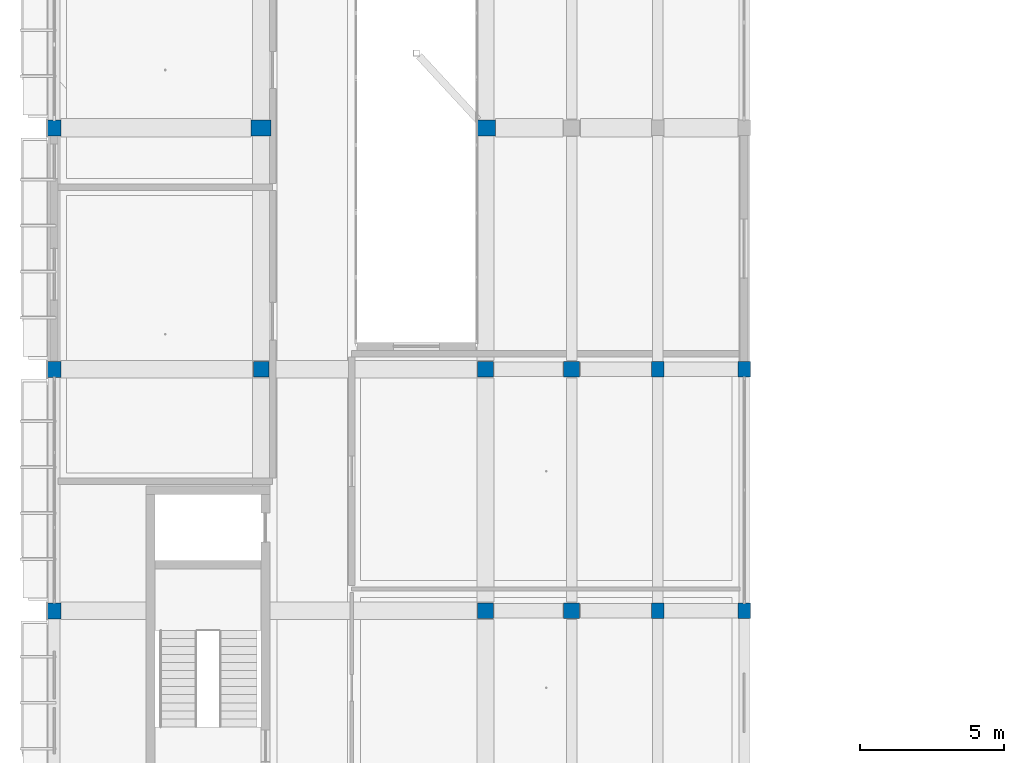
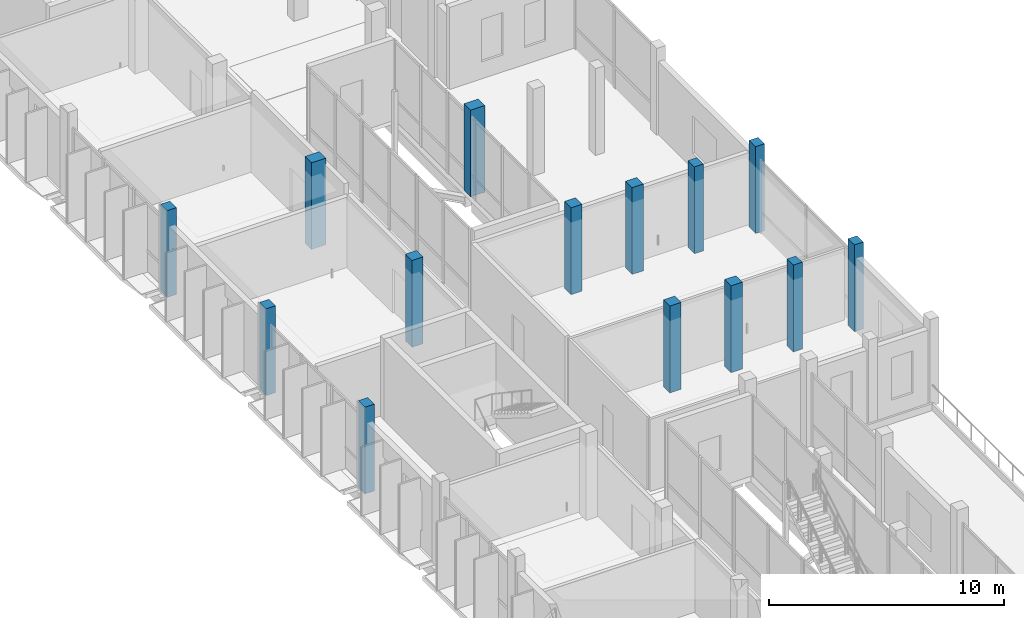
# One storey, part 3 of 95: 14 columns.
"""IFC4 building model written with IfcOpenShell, lengths in metres."""

from ifc_helpers import new_model, si_unit, derived_unit, direction, frame, origin, origin_2d, place, context, subcontext, project, spatial, rectangle, extrude, material, material_profile, profile_set, type_object, element, save


model = new_model("IFC4")

# Units and contexts
model_context = context("Model", 3, precision=1e-05, world=origin(), true_north=direction((0.0, 1.0)))
body_context = subcontext(model_context, "Body", "Model", "MODEL_VIEW")
ifc_project = project(units=[si_unit("LENGTHUNIT", "METRE"), si_unit("AREAUNIT", "SQUARE_METRE"), si_unit("VOLUMEUNIT", "CUBIC_METRE"), si_unit("PLANEANGLEUNIT", "RADIAN"), si_unit("MASSUNIT", "GRAM", prefix="KILO"), derived_unit("THERMALTRANSMITTANCEUNIT", [(si_unit("POWERUNIT", "WATT"), 1), (si_unit("LENGTHUNIT", "METRE"), -2), (si_unit("THERMODYNAMICTEMPERATUREUNIT", "KELVIN"), -1)])], contexts=[model_context])

# Site, building, storey
site_placement = place(None, origin())
site = spatial("IfcSite", under=ifc_project, at=site_placement, CompositionType="ELEMENT")
building_placement = place(site_placement, origin())
building = spatial("IfcBuilding", under=site, at=building_placement, Name="Braskholm Square Health Centre", CompositionType="ELEMENT")
storey_placement = place(building_placement, frame((0.0, 0.0, 4.800048828125)))
storey = spatial("IfcBuildingStorey", under=building, at=storey_placement, Name="L02", CompositionType="ELEMENT", Elevation=4.800048828125)

# Columns
ifc_material_1 = material(Name="Concrete C40/50 (f'c = 40 MPa)", Category="concrete")
ifc_material_profile_1 = material_profile(ifc_material_1, rectangle(XDim=0.699951171875, YDim=0.550048828125, at=origin_2d()), Name="RC-700X550")
ifc_profile_set_1 = profile_set([ifc_material_profile_1], Name="Concrete C40/50 (f'c = 40 MPa)")
column_type_1 = type_object("IfcColumnType", Name="ColImagingHeavy700x550", PredefinedType="COLUMN", material=ifc_profile_set_1)
for number, where, z_axis, x_axis, name in (
    (1, (11.39990234375, 72.199951171875, 0.0), (0.0, 0.0, 1.0), (1.0, 0.0, 0.0), "Column 2/L L02"),
    (2, (19.199951171875, 72.199951171875, 0.0), (0.0, 0.0, 1.0), (1.0, 0.0, 0.0), "Column 3/L L02"),
):
    element("IfcColumn", number, at=place(storey_placement, frame(where, z_axis=z_axis, x_axis=x_axis)), inside=storey, type_object=column_type_1, Name=name, PredefinedType="COLUMN", context=body_context, shape_type="SweptSolid", body=[
        extrude(rectangle(XDim=0.699951171875, YDim=0.550048828125, at=origin_2d()), origin(), (0.0, 0.0, 1.0), 4.5),
    ])
ifc_material_profile_2 = material_profile(ifc_material_1, rectangle(XDim=0.550048828125, YDim=0.550048828125, at=origin_2d()), Name="RC-550X550")
ifc_profile_set_2 = profile_set([ifc_material_profile_2], Name="Concrete C40/50 (f'c = 40 MPa)")
column_type_2 = type_object("IfcColumnType", Name="ColInteriorMid550", PredefinedType="COLUMN", material=ifc_profile_set_2)
for number, where, z_axis, x_axis, name in (
    (3, (11.39990234375, 63.800048828125, 0.0), (0.0, 0.0, 1.0), (1.0, 0.0, 0.0), "Column 2/K L02"),
    (4, (19.199951171875, 55.39990234375, 0.0), (0.0, 0.0, 1.0), (1.0, 0.0, 0.0), "Column 3/J L02"),
    (5, (19.199951171875, 63.800048828125, 0.0), (0.0, 0.0, 1.0), (1.0, 0.0, 0.0), "Column 3/K L02"),
    (6, (22.199951171875, 55.39990234375, 0.0), (0.0, 0.0, 1.0), (1.0, 0.0, 0.0), "Column 4/J L02"),
    (7, (22.199951171875, 63.800048828125, 0.0), (0.0, 0.0, 1.0), (1.0, 0.0, 0.0), "Column 4/K L02"),
):
    element("IfcColumn", number, at=place(storey_placement, frame(where, z_axis=z_axis, x_axis=x_axis)), inside=storey, type_object=column_type_2, Name=name, PredefinedType="COLUMN", context=body_context, shape_type="SweptSolid", body=[
        extrude(rectangle(XDim=0.550048828125, YDim=0.550048828125, at=origin_2d()), origin(), (0.0, 0.0, 1.0), 4.5),
    ])
ifc_material_2 = material(Name="Precast concrete C40/50 architectural white", Category="concrete")
ifc_material_profile_3 = material_profile(ifc_material_2, rectangle(XDim=0.43994140625, YDim=0.5400390625, at=origin_2d()), Name="RC-440X540")
ifc_profile_set_3 = profile_set([ifc_material_profile_3], Name="Precast concrete C40/50 architectural white")
column_type_3 = type_object("IfcColumnType", Name="ColPilasterKasota440x540", PredefinedType="PILASTER", material=ifc_profile_set_3)
for number, where, z_axis, x_axis, name in (
    (8, (25.199951171875, 55.39990234375, 0.0), (0.0, 0.0, 1.0), (1.0, 0.0, 0.0), "Column 5/J L02"),
    (9, (25.199951171875, 63.800048828125, 0.0), (0.0, 0.0, 1.0), (1.0, 0.0, 0.0), "Column 5/K L02"),
    (10, (28.199951171875, 55.39990234375, 0.0), (0.0, 0.0, 1.0), (1.0, 0.0, 0.0), "Column 6/J L02"),
    (11, (28.199951171875, 63.800048828125, 0.0), (0.0, 0.0, 1.0), (1.0, 0.0, 0.0), "Column 6/K L02"),
):
    element("IfcColumn", number, at=place(storey_placement, frame(where, z_axis=z_axis, x_axis=x_axis)), inside=storey, type_object=column_type_3, Name=name, PredefinedType="PILASTER", context=body_context, shape_type="SweptSolid", body=[
        extrude(rectangle(XDim=0.43994140625, YDim=0.5400390625, at=origin_2d()), origin(), (0.0, 0.0, 1.0), 4.5),
    ])
ifc_material_profile_4 = material_profile(ifc_material_2, rectangle(XDim=0.4599609375, YDim=0.56005859375, at=origin_2d()), Name="RC-460X560")
ifc_profile_set_4 = profile_set([ifc_material_profile_4], Name="Precast concrete C40/50 architectural white")
column_type_4 = type_object("IfcColumnType", Name="ColPrecastFrame460x560", PredefinedType="COLUMN", material=ifc_profile_set_4)
for number, where, z_axis, x_axis, name in (
    (12, (4.199951171875, 55.39990234375, 0.0), (0.0, 0.0, 1.0), (1.0, 0.0, 0.0), "Column 1/J L02"),
    (13, (4.199951171875, 63.800048828125, 0.0), (0.0, 0.0, 1.0), (1.0, 0.0, 0.0), "Column 1/K L02"),
    (14, (4.199951171875, 72.199951171875, 0.0), (0.0, 0.0, 1.0), (1.0, 0.0, 0.0), "Column 1/L L02"),
):
    element("IfcColumn", number, at=place(storey_placement, frame(where, z_axis=z_axis, x_axis=x_axis)), inside=storey, type_object=column_type_4, Name=name, PredefinedType="COLUMN", context=body_context, shape_type="SweptSolid", body=[
        extrude(rectangle(XDim=0.4599609375, YDim=0.56005859375, at=origin_2d()), origin(), (0.0, 0.0, 1.0), 4.5),
    ])

save(model, "model.ifc")
